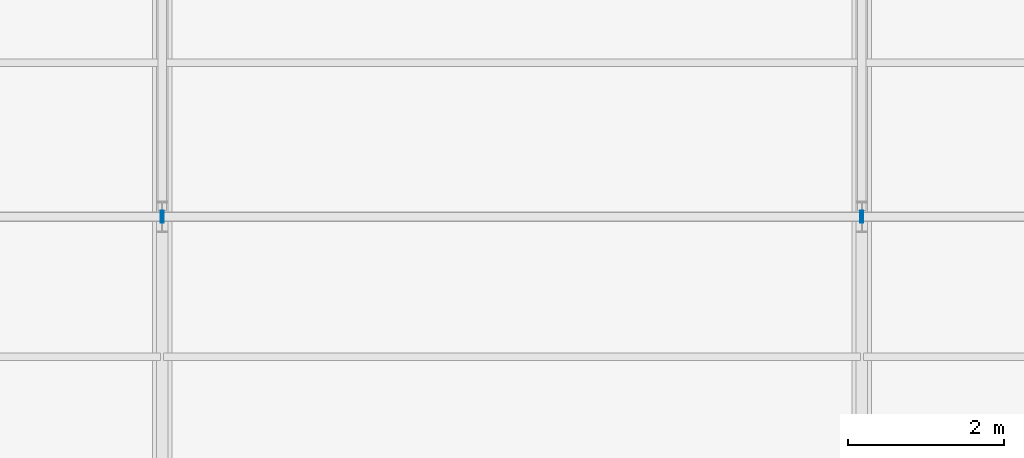
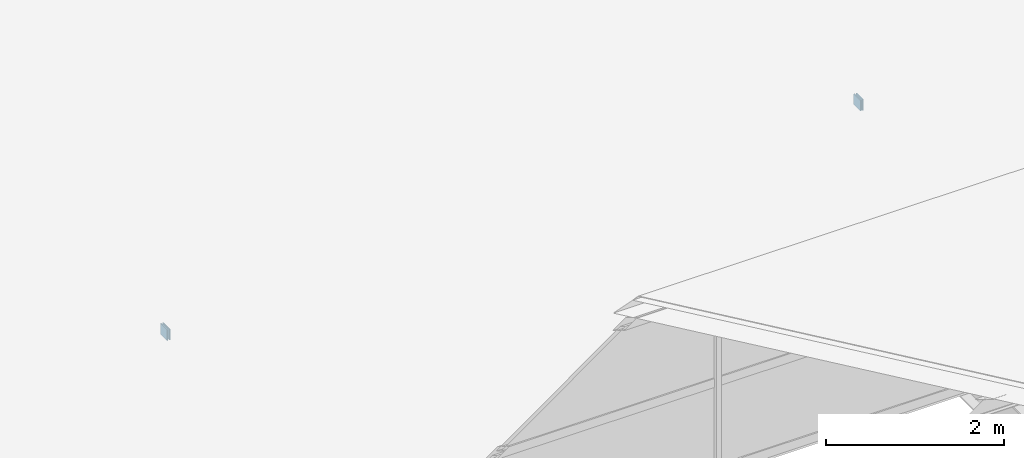
# One storey, part 127 of 163: 4 plates.
"""IFC4 building model written with IfcOpenShell, lengths in metres."""

from ifc_helpers import new_model, si_unit, direction, frame, origin, origin_2d, place, context, subcontext, project, spatial, rectangle, extrude, material, layer, layer_set, type_object, element, save


model = new_model("IFC4")

# Units and contexts
model_context = context("Model", 3, precision=1e-05, world=origin(), true_north=direction((0.0, 1.0)))
body_context = subcontext(model_context, "Body", "Model", "MODEL_VIEW")
ifc_project = project(units=[si_unit("LENGTHUNIT", "METRE"), si_unit("AREAUNIT", "SQUARE_METRE"), si_unit("VOLUMEUNIT", "CUBIC_METRE"), si_unit("PLANEANGLEUNIT", "RADIAN"), si_unit("MASSUNIT", "GRAM", prefix="KILO")], contexts=[model_context])

# Site, building, storey
site_placement = place(None, origin())
site = spatial("IfcSite", under=ifc_project, at=site_placement, CompositionType="ELEMENT")
building_placement = place(site_placement, origin())
building = spatial("IfcBuilding", under=site, at=building_placement, Name="Tharagai Park Tramway Depot", CompositionType="ELEMENT")
storey_placement = place(building_placement, frame((0.0, 0.0, 8.39990234375)))
storey = spatial("IfcBuildingStorey", under=building, at=storey_placement, Name="L02", CompositionType="ELEMENT", Elevation=8.39990234375)

# Plates
ifc_material = material(Name="Steel E350", Category="steel")
ifc_layer = layer(ifc_material, 0.011962890625)
ifc_layer_set = layer_set([ifc_layer], Name="Steel E350")
plate_type = type_object("IfcPlateType", Name="GP-04", PredefinedType="SHEET", material=ifc_layer_set)
for number, where, z_axis, x_axis, name in (
    (1, (17.986083984375, 112.5, 1.87158203125), (0.0, 0.0, 1.0), (1.0, 0.0, 0.0), "Tube End Cap Plate GP-04"),
    (2, (18.013916015625, 112.5, 1.87158203125), (0.0, 0.0, 1.0), (1.0, 0.0, 0.0), "Tube End Cap Plate GP-04"),
    (3, (26.986083984375, 112.5, 1.87158203125), (0.0, 0.0, 1.0), (1.0, 0.0, 0.0), "Tube End Cap Plate GP-04"),
    (4, (27.013916015625, 112.5, 1.87158203125), (0.0, 0.0, 1.0), (1.0, 0.0, 0.0), "Tube End Cap Plate GP-04"),
):
    element("IfcPlate", number, at=place(storey_placement, frame(where, z_axis=z_axis, x_axis=x_axis)), inside=storey, type_object=plate_type, Name=name, PredefinedType="SHEET", context=body_context, shape_type="SweptSolid", body=[
        extrude(rectangle(XDim=0.011962890625, YDim=0.14990234375, at=origin_2d()), origin(), (0.0, 0.0, 1.0), 0.14990234375),
    ])

save(model, "model.ifc")
